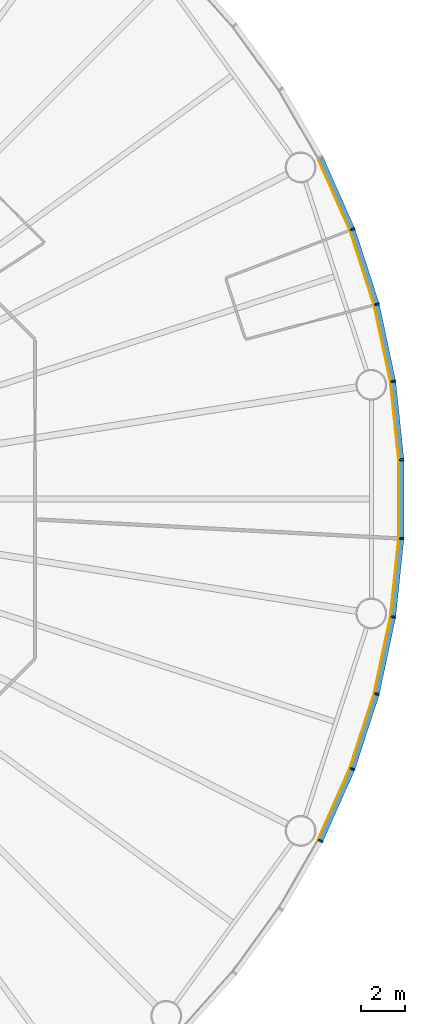
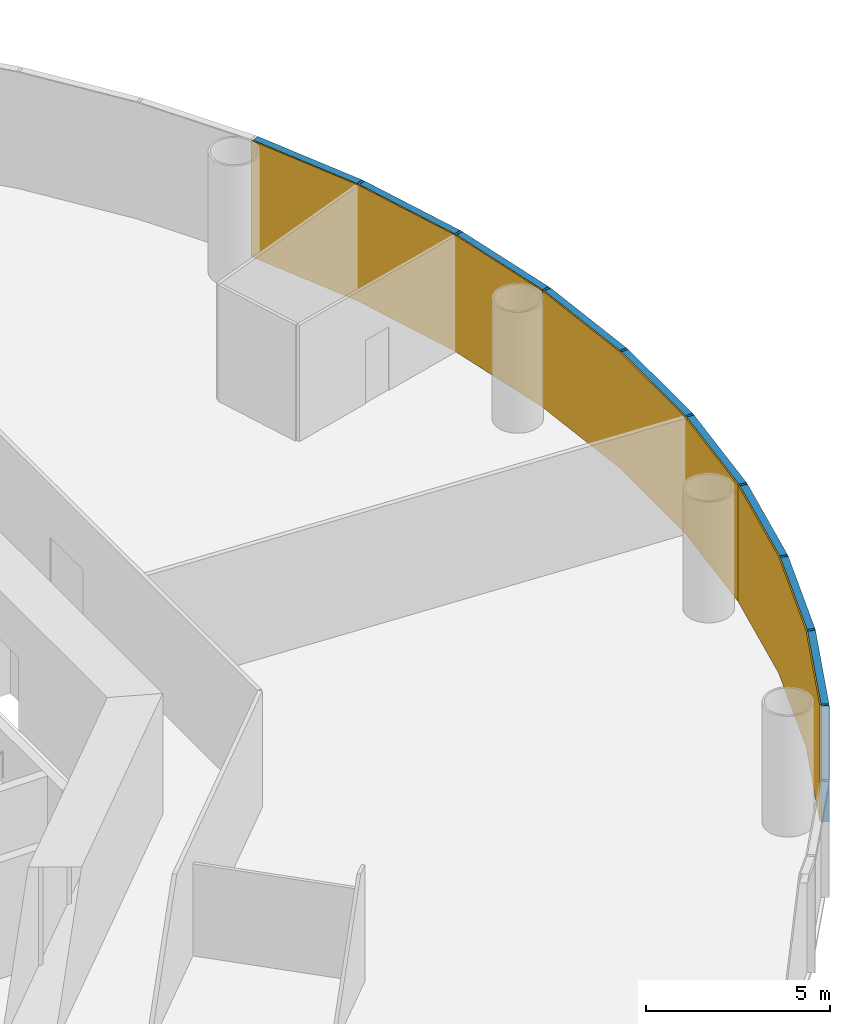
# One storey, part 10 of 12: 18 members, 3 curtain walls.
"""IFC4 building model written with IfcOpenShell, lengths in metres."""

import ifcopenshell
import ifcopenshell.guid

model = None  # the IFC model being written
_history = None  # IfcOwnerHistory: only IFC2X3 demands one
_inside = {}  # id of a spatial element -> (the spatial element, [elements in it])
_under = {}  # id of a project, library or spatial element -> (it, [spatial elements below it])
_declared = {}  # id of a project -> (the project, [libraries it declares])
_typed = {}  # id of a type object -> (the type object, [elements of that type])
_made_of = {}  # id of a material, layer set ... -> (it, [elements and type objects made of it])


def new_model(schema):
    """Start an empty IFC model of exactly this schema.

    Asked for "IFC4X3", IfcOpenShell would pick the latest addendum, in which some entities
    have other attributes; the version numbers below select the first issue.
    IFC2X3 requires an IfcOwnerHistory on every rooted entity: one is made here for all.
    """
    global model, _history
    if schema == "IFC4X3":
        model = ifcopenshell.file(schema_version=(4, 3, 0, 0))
    else:
        model = ifcopenshell.file(schema=schema)
    _inside.clear()
    _under.clear()
    _declared.clear()
    _typed.clear()
    _made_of.clear()
    _history = None
    if model.schema == "IFC2X3":
        org = make("IfcOrganization", Name="unknown")
        user = make(
            "IfcPersonAndOrganization",
            ThePerson=make("IfcPerson", FamilyName="unknown"),
            TheOrganization=org,
        )
        app = make(
            "IfcApplication",
            ApplicationDeveloper=org,
            Version="unknown",
            ApplicationFullName="unknown",
            ApplicationIdentifier="unknown",
        )
        _history = make(
            "IfcOwnerHistory",
            OwningUser=user,
            OwningApplication=app,
            ChangeAction="ADDED",
            CreationDate=0,
        )
    return model


def make(cls, **values):
    """One entity of the class cls with the attributes given. An attribute that is None is left unset."""
    return model.create_entity(
        cls, **{name: value for name, value in values.items() if value is not None}
    )


def rooted(cls, **values):
    """An entity with a GlobalId (a new one), such as an element, a storey or a relation."""
    return make(cls, GlobalId=ifcopenshell.guid.new(), OwnerHistory=_history, **values)


def si_unit(unit_type, name, prefix=None):
    """IfcSIUnit, for example si_unit("LENGTHUNIT", "METRE", prefix="MILLI")."""
    return make("IfcSIUnit", UnitType=unit_type, Prefix=prefix, Name=name)


def assignment(units):
    """IfcUnitAssignment: the units of a project."""
    return None if units is None else make("IfcUnitAssignment", Units=units)


def point(xyz):
    """IfcCartesianPoint."""
    return None if xyz is None else make("IfcCartesianPoint", Coordinates=xyz)


def direction(xyz):
    """IfcDirection."""
    return None if xyz is None else make("IfcDirection", DirectionRatios=xyz)


def frame(location, z_axis=None, x_axis=None):
    """IfcAxis2Placement3D, a coordinate frame: its origin and axes. An axis left out is left unset."""
    return make(
        "IfcAxis2Placement3D",
        Location=point(location),
        Axis=direction(z_axis),
        RefDirection=direction(x_axis),
    )


def frame_2d(location, x_axis=None):
    """IfcAxis2Placement2D, a coordinate frame in the plane: its origin and x axis."""
    return make(
        "IfcAxis2Placement2D", Location=point(location), RefDirection=direction(x_axis)
    )


def origin():
    """The frame at (0, 0, 0) with its axes left unset."""
    return frame((0.0, 0.0, 0.0))


def origin_2d():
    """The frame at (0, 0) in the plane with its x axis left unset."""
    return frame_2d((0.0, 0.0))


def place(relative_to, where):
    """IfcLocalPlacement: puts the frame where relative to a parent placement (None: the world)."""
    return make(
        "IfcLocalPlacement", PlacementRelTo=relative_to, RelativePlacement=where
    )


def context(
    kind, dimensions, precision=None, world=None, true_north=None, identifier=None
):
    """IfcGeometricRepresentationContext, for example the 3D "Model" context."""
    return make(
        "IfcGeometricRepresentationContext",
        ContextIdentifier=identifier,
        ContextType=kind,
        CoordinateSpaceDimension=dimensions,
        Precision=precision,
        WorldCoordinateSystem=world,
        TrueNorth=true_north,
    )


def subcontext(parent, identifier, kind, view, scale=None):
    """IfcGeometricRepresentationSubContext, for example "Body" below "Model"."""
    return make(
        "IfcGeometricRepresentationSubContext",
        ContextIdentifier=identifier,
        ContextType=kind,
        ParentContext=parent,
        TargetScale=scale,
        TargetView=view,
    )


def project(units=None, contexts=None):
    """IfcProject with its units and contexts."""
    return rooted(
        "IfcProject",
        Name="project",
        RepresentationContexts=contexts,
        UnitsInContext=assignment(units),
    )


def spatial(cls, under=None, at=None, **own):
    """A site, building, storey or space (cls), placed at a placement, below another one or the project."""
    s = rooted(cls, ObjectPlacement=at, **own)
    if under is not None:
        _under.setdefault(under.id(), (under, []))[1].append(s)
    return s


def polyline(points):
    """IfcPolyline through the points."""
    return make("IfcPolyline", Points=[point(p) for p in points])


def profile(cls, at=None, kind="AREA", **sizes):
    """A parametric profile (cls). Its sizes go by their IFC names, for example OverallWidth=200.0."""
    return make(cls, ProfileType=kind, Position=at, **sizes)


def rectangle(**sizes):
    """IfcRectangleProfileDef."""
    return profile("IfcRectangleProfileDef", **sizes)


def outline(outer, holes=None, kind="AREA"):
    """IfcArbitraryClosedProfileDef: a profile drawn as a closed curve; with holes, ...WithVoids."""
    if holes is None:
        return make("IfcArbitraryClosedProfileDef", ProfileType=kind, OuterCurve=outer)
    return make(
        "IfcArbitraryProfileDefWithVoids",
        ProfileType=kind,
        OuterCurve=outer,
        InnerCurves=holes,
    )


def extrude(swept, where, along, depth):
    """IfcExtrudedAreaSolid: the profile swept, set in the frame where, extruded along a direction by depth."""
    return make(
        "IfcExtrudedAreaSolid",
        SweptArea=swept,
        Position=where,
        ExtrudedDirection=direction(along),
        Depth=depth,
    )


def shape(context_of_items, identifier, shape_type, items):
    """IfcShapeRepresentation: the items that make up one representation, for example the "Body"."""
    return make(
        "IfcShapeRepresentation",
        ContextOfItems=context_of_items,
        RepresentationIdentifier=identifier,
        RepresentationType=shape_type,
        Items=items,
    )


def material(Name=None, Category=None):
    """IfcMaterial."""
    return make("IfcMaterial", Name=Name, Category=Category)


def layer(
    of_material, thickness, ventilated=None, Name=None, Category=None, Priority=None
):
    """IfcMaterialLayer: one layer of a wall or slab, of a material (None: an air gap)."""
    return make(
        "IfcMaterialLayer",
        Material=of_material,
        LayerThickness=thickness,
        IsVentilated=ventilated,
        Name=Name,
        Category=Category,
        Priority=Priority,
    )


def layer_set(layers, Name=None):
    """IfcMaterialLayerSet."""
    return make("IfcMaterialLayerSet", MaterialLayers=layers, LayerSetName=Name)


def material_profile(
    of_material, cross_section, Name=None, Category=None, Priority=None
):
    """IfcMaterialProfile: a cross section and its material."""
    return make(
        "IfcMaterialProfile",
        Name=Name,
        Material=of_material,
        Profile=cross_section,
        Priority=Priority,
        Category=Category,
    )


def profile_set(profiles, Name=None, composite=None):
    """IfcMaterialProfileSet."""
    return make(
        "IfcMaterialProfileSet",
        Name=Name,
        MaterialProfiles=profiles,
        CompositeProfile=composite,
    )


def made_of(thing, what):
    """Note that an element or type object is made of a material, layer set ...; save() writes the relation."""
    if what is not None:
        _made_of.setdefault(what.id(), (what, []))[1].append(thing)
    return thing


def type_object(cls, material=None, **own):
    """A type object (cls), such as IfcWallType, which elements share."""
    return made_of(rooted(cls, **own), material)


def element(
    cls,
    number,
    at=None,
    inside=None,
    cuts=None,
    type_object=None,
    material=None,
    context=None,
    identifier="Body",
    shape_type=None,
    held_by="IfcProductDefinitionShape",
    body=None,
    shapes=None,
    **own,
):
    """One element of the class cls, such as IfcWall. Its Tag is "e" and its number.

    at: its placement. inside: the storey or other place that contains it. cuts: it is an
    opening in that element (IfcRelVoidsElement). A single representation is given by context,
    identifier, shape_type and body (its items); several are given by shapes. held_by: the class
    of the entity that holds the representations. save() writes the other relations.
    """
    e = rooted(cls, Tag="e%d" % number, ObjectPlacement=at, **own)
    if body is not None:
        shapes = [shape(context, identifier, shape_type, body)]
    if shapes is not None:
        e.Representation = make(held_by, Representations=shapes)
    if inside is not None:
        _inside.setdefault(inside.id(), (inside, []))[1].append(e)
    if cuts is not None:
        rooted(
            "IfcRelVoidsElement", RelatingBuildingElement=cuts, RelatedOpeningElement=e
        )
    if type_object is not None:
        _typed.setdefault(type_object.id(), (type_object, []))[1].append(e)
    return made_of(e, material)


def aggregate(whole, parts):
    """IfcRelAggregates: a whole, such as a stair, and the parts it consists of."""
    return rooted("IfcRelAggregates", RelatingObject=whole, RelatedObjects=parts)


def save(model, path):
    """Write the relations noted so far, then the file.

    IfcRelAggregates (storeys below a building ...), IfcRelContainedInSpatialStructure (elements
    in a storey), IfcRelDefinesByType, IfcRelAssociatesMaterial and IfcRelDeclares: one each for
    every whole, place, type object, material and project.
    """
    for whole, parts in _under.values():
        aggregate(whole, parts)
    for where, things in _inside.values():
        rooted(
            "IfcRelContainedInSpatialStructure",
            RelatedElements=things,
            RelatingStructure=where,
        )
    for kind, things in _typed.values():
        rooted("IfcRelDefinesByType", RelatedObjects=things, RelatingType=kind)
    for what, things in _made_of.values():
        rooted("IfcRelAssociatesMaterial", RelatedObjects=things, RelatingMaterial=what)
    for by, libraries in _declared.values():
        rooted("IfcRelDeclares", RelatingContext=by, RelatedDefinitions=libraries)
    model.write(path)


model = new_model("IFC4")

# Units and contexts
model_context = context("Model", 3, precision=1e-05, world=origin(), true_north=direction((0.0, 1.0)))
body_context = subcontext(model_context, "Body", "Model", "MODEL_VIEW")
ifc_project = project(units=[si_unit("LENGTHUNIT", "METRE"), si_unit("AREAUNIT", "SQUARE_METRE"), si_unit("VOLUMEUNIT", "CUBIC_METRE"), si_unit("PLANEANGLEUNIT", "RADIAN"), si_unit("MASSUNIT", "GRAM", prefix="KILO")], contexts=[model_context])

# Member
ifc_material_1 = material(Name="Anodised aluminium", Category="aluminium")
ifc_material_profile_1 = material_profile(ifc_material_1, rectangle(XDim=0.074951171875, YDim=0.219970703125, at=origin_2d()), Name="Mullion 75 x 220 mm anodised aluminium")
ifc_profile_set_1 = profile_set([ifc_material_profile_1], Name="Anodised aluminium")
member_type_1 = type_object("IfcMemberType", Name="Mullion 75 x 220 mm anodised aluminium", PredefinedType="MULLION", material=ifc_profile_set_1)
site_placement = place(None, origin())
building_placement = place(site_placement, origin())
storey_placement = place(building_placement, frame((0.0, 0.0, 66.0)))
member_1_placement = place(storey_placement, frame((123.68994140625, 85.3359375, 0.0), z_axis=(0.0, 0.0, 1.0), x_axis=(-0.15643446504, 0.987688340595, 0.0)))
member_1 = element("IfcMember", 1, at=member_1_placement, type_object=member_type_1, Name="MULLION L14-00", PredefinedType="MULLION", context=body_context, shape_type="SweptSolid", body=[
    extrude(rectangle(XDim=0.074951171875, YDim=0.219970703125, at=origin_2d()), origin(), (0.0, 0.0, 1.0), 3.85009765625),
])

member_2_placement = place(storey_placement, frame((122.94775390625, 88.828369140625, 0.0), z_axis=(0.0, 0.0, 1.0), x_axis=(-0.258819045103, 0.965925826289, 0.0)))
member_2 = element("IfcMember", 2, at=member_2_placement, type_object=member_type_1, Name="MULLION L14-01", PredefinedType="MULLION", context=body_context, shape_type="SweptSolid", body=[
    extrude(rectangle(XDim=0.074951171875, YDim=0.219970703125, at=origin_2d()), origin(), (0.0, 0.0, 1.0), 3.85009765625),
])

member_3_placement = place(storey_placement, frame((121.844482421875, 92.223876953125, 0.0), z_axis=(0.0, 0.0, 1.0), x_axis=(-0.358367949545, 0.933580426497, 0.0)))
member_3 = element("IfcMember", 3, at=member_3_placement, type_object=member_type_1, Name="MULLION L14-02", PredefinedType="MULLION", context=body_context, shape_type="SweptSolid", body=[
    extrude(rectangle(XDim=0.074951171875, YDim=0.219970703125, at=origin_2d()), origin(), (0.0, 0.0, 1.0), 3.85009765625),
])

member_4_placement = place(storey_placement, frame((120.392333984375, 64.514404296875, 0.0), z_axis=(0.0, 0.0, 1.0), x_axis=(0.45399049974, 0.891006524188, 0.0)))
member_4 = element("IfcMember", 4, at=member_4_placement, type_object=member_type_1, Name="MULLION L14-54", PredefinedType="MULLION", context=body_context, shape_type="SweptSolid", body=[
    extrude(rectangle(XDim=0.074951171875, YDim=0.219970703125, at=origin_2d()), origin(), (0.0, 0.0, 1.0), 3.85009765625),
])

member_5_placement = place(storey_placement, frame((121.844482421875, 67.776123046875, 0.0), z_axis=(0.0, 0.0, 1.0), x_axis=(0.358367949545, 0.933580426497, 0.0)))
member_5 = element("IfcMember", 5, at=member_5_placement, type_object=member_type_1, Name="MULLION L14-55", PredefinedType="MULLION", context=body_context, shape_type="SweptSolid", body=[
    extrude(rectangle(XDim=0.074951171875, YDim=0.219970703125, at=origin_2d()), origin(), (0.0, 0.0, 1.0), 3.85009765625),
])

member_6_placement = place(storey_placement, frame((122.94775390625, 71.171630859375, 0.0), z_axis=(0.0, 0.0, 1.0), x_axis=(0.258819045103, 0.965925826289, 0.0)))
member_6 = element("IfcMember", 6, at=member_6_placement, type_object=member_type_1, Name="MULLION L14-56", PredefinedType="MULLION", context=body_context, shape_type="SweptSolid", body=[
    extrude(rectangle(XDim=0.074951171875, YDim=0.219970703125, at=origin_2d()), origin(), (0.0, 0.0, 1.0), 3.85009765625),
])

member_7_placement = place(storey_placement, frame((123.68994140625, 74.6640625, 0.0), z_axis=(0.0, 0.0, 1.0), x_axis=(0.15643446504, 0.987688340595, 0.0)))
member_7 = element("IfcMember", 7, at=member_7_placement, type_object=member_type_1, Name="MULLION L14-57", PredefinedType="MULLION", context=body_context, shape_type="SweptSolid", body=[
    extrude(rectangle(XDim=0.074951171875, YDim=0.219970703125, at=origin_2d()), origin(), (0.0, 0.0, 1.0), 3.85009765625),
])

member_8_placement = place(storey_placement, frame((124.063232421875, 78.21484375, 0.0), z_axis=(0.0, 0.0, 1.0), x_axis=(0.052335956243, 0.998629534755, 0.0)))
member_8 = element("IfcMember", 8, at=member_8_placement, type_object=member_type_1, Name="MULLION L14-58", PredefinedType="MULLION", context=body_context, shape_type="SweptSolid", body=[
    extrude(rectangle(XDim=0.074951171875, YDim=0.219970703125, at=origin_2d()), origin(), (0.0, 0.0, 1.0), 3.85009765625),
])

member_9_placement = place(storey_placement, frame((124.063232421875, 81.78515625, 0.0), z_axis=(0.0, 0.0, 1.0), x_axis=(-0.052335956243, 0.998629534755, 0.0)))
member_9 = element("IfcMember", 9, at=member_9_placement, type_object=member_type_1, Name="MULLION L14-59", PredefinedType="MULLION", context=body_context, shape_type="SweptSolid", body=[
    extrude(rectangle(XDim=0.074951171875, YDim=0.219970703125, at=origin_2d()), origin(), (0.0, 0.0, 1.0), 3.85009765625),
])

ifc_material_2 = material(Name="Anodised aluminium", Category="aluminium")
ifc_material_profile_2 = material_profile(ifc_material_2, rectangle(XDim=0.219970703125, YDim=0.199951171875, at=origin_2d()), Name="Transom 200 x 220 mm anodised aluminium")
ifc_profile_set_2 = profile_set([ifc_material_profile_2], Name="Anodised aluminium")
member_type_2 = type_object("IfcMemberType", Name="Transom 200 x 220 mm anodised aluminium", PredefinedType="USERDEFINED", material=ifc_profile_set_2)
member_10_placement = place(storey_placement, frame((123.68115234375, 85.37841796875, 3.75), z_axis=(-0.207920776701, 0.978145669426, 0.0), x_axis=(-0.978145669426, -0.207920776701, 0.0)))
member_10 = element("IfcMember", 10, at=member_10_placement, type_object=member_type_2, Name="TRANSOM L14-00", ObjectType="TRANSOM", PredefinedType="USERDEFINED", context=body_context, shape_type="SweptSolid", body=[
    extrude(rectangle(XDim=0.219970703125, YDim=0.199951171875, at=origin_2d()), origin(), (0.0, 0.0, 1.0), 3.48388671875),
])

member_11_placement = place(storey_placement, frame((122.9345703125, 88.869384765625, 3.75), z_axis=(-0.309029029702, 0.951052605696, 0.0), x_axis=(-0.951052605696, -0.309029029702, 0.0)))
member_11 = element("IfcMember", 11, at=member_11_placement, type_object=member_type_2, Name="TRANSOM L14-01", ObjectType="TRANSOM", PredefinedType="USERDEFINED", context=body_context, shape_type="SweptSolid", body=[
    extrude(rectangle(XDim=0.219970703125, YDim=0.199951171875, at=origin_2d()), origin(), (0.0, 0.0, 1.0), 3.484130859375),
])

member_12_placement = place(storey_placement, frame((121.826904296875, 92.263427734375, 3.75), z_axis=(-0.406736576304, 0.913545487371, 0.0), x_axis=(-0.913545487371, -0.406736576304, 0.0)))
member_12 = element("IfcMember", 12, at=member_12_placement, type_object=member_type_2, Name="TRANSOM L14-02", ObjectType="TRANSOM", PredefinedType="USERDEFINED", context=body_context, shape_type="SweptSolid", body=[
    extrude(rectangle(XDim=0.219970703125, YDim=0.199951171875, at=origin_2d()), origin(), (0.0, 0.0, 1.0), 3.48388671875),
])

member_13_placement = place(storey_placement, frame((120.409912109375, 64.553955078125, 3.75), z_axis=(0.406736576304, 0.913545487371, 0.0), x_axis=(-0.913545487371, 0.406736576304, 0.0)))
member_13 = element("IfcMember", 13, at=member_13_placement, type_object=member_type_2, Name="TRANSOM L14-54", ObjectType="TRANSOM", PredefinedType="USERDEFINED", context=body_context, shape_type="SweptSolid", body=[
    extrude(rectangle(XDim=0.219970703125, YDim=0.199951171875, at=origin_2d()), origin(), (0.0, 0.0, 1.0), 3.48388671875),
])

member_14_placement = place(storey_placement, frame((121.85791015625, 67.817138671875, 3.75), z_axis=(0.309029029702, 0.951052605696, 0.0), x_axis=(-0.951052605696, 0.309029029702, 0.0)))
member_14 = element("IfcMember", 14, at=member_14_placement, type_object=member_type_2, Name="TRANSOM L14-55", ObjectType="TRANSOM", PredefinedType="USERDEFINED", context=body_context, shape_type="SweptSolid", body=[
    extrude(rectangle(XDim=0.219970703125, YDim=0.199951171875, at=origin_2d()), origin(), (0.0, 0.0, 1.0), 3.484130859375),
])

member_15_placement = place(storey_placement, frame((122.956787109375, 71.2138671875, 3.75), z_axis=(0.207920776701, 0.978145669426, 0.0), x_axis=(-0.978145669426, 0.207920776701, 0.0)))
member_15 = element("IfcMember", 15, at=member_15_placement, type_object=member_type_2, Name="TRANSOM L14-56", ObjectType="TRANSOM", PredefinedType="USERDEFINED", context=body_context, shape_type="SweptSolid", body=[
    extrude(rectangle(XDim=0.219970703125, YDim=0.199951171875, at=origin_2d()), origin(), (0.0, 0.0, 1.0), 3.48388671875),
])

member_16_placement = place(storey_placement, frame((123.69482421875, 74.70703125, 3.75), z_axis=(0.104484152234, 0.994526551648, 0.0), x_axis=(-0.994526551648, 0.104484152234, 0.0)))
member_16 = element("IfcMember", 16, at=member_16_placement, type_object=member_type_2, Name="TRANSOM L14-57", ObjectType="TRANSOM", PredefinedType="USERDEFINED", context=body_context, shape_type="SweptSolid", body=[
    extrude(rectangle(XDim=0.219970703125, YDim=0.199951171875, at=origin_2d()), origin(), (0.0, 0.0, 1.0), 3.48388671875),
])

member_17_placement = place(storey_placement, frame((124.0634765625, 78.258056640625, 3.75), z_axis=(0.0, 1.0, 0.0), x_axis=(-1.0, 0.0, 0.0)))
member_17 = element("IfcMember", 17, at=member_17_placement, type_object=member_type_2, Name="TRANSOM L14-58", ObjectType="TRANSOM", PredefinedType="USERDEFINED", context=body_context, shape_type="SweptSolid", body=[
    extrude(rectangle(XDim=0.219970703125, YDim=0.199951171875, at=origin_2d()), origin(), (0.0, 0.0, 1.0), 3.48388671875),
])

member_18_placement = place(storey_placement, frame((124.058837890625, 81.828125, 3.75), z_axis=(-0.104484152234, 0.994526551648, 0.0), x_axis=(-0.994526551648, -0.104484152234, 0.0)))
member_18 = element("IfcMember", 18, at=member_18_placement, type_object=member_type_2, Name="TRANSOM L14-59", ObjectType="TRANSOM", PredefinedType="USERDEFINED", context=body_context, shape_type="SweptSolid", body=[
    extrude(rectangle(XDim=0.219970703125, YDim=0.199951171875, at=origin_2d()), origin(), (0.0, 0.0, 1.0), 3.48388671875),
])

# Site, building, storey
site = spatial("IfcSite", under=ifc_project, at=site_placement, CompositionType="ELEMENT")
building = spatial("IfcBuilding", under=site, at=building_placement, Name="Entoto Ring Tower", CompositionType="ELEMENT")
storey = spatial("IfcBuildingStorey", under=building, at=storey_placement, Name="L14", CompositionType="ELEMENT", Elevation=66.0)

# Curtain wall
ifc_material_3 = material(Name="Clear low-iron glass", Category="glass")
ifc_layer = layer(ifc_material_3, 0.0400390625)
ifc_layer_set = layer_set([ifc_layer], Name="Clear low-iron glass")
curtain_wall_type = type_object("IfcCurtainWallType", Name="Curtain wall system CW1 glazing 40 mm", PredefinedType="NOTDEFINED", material=ifc_layer_set)
curtain_wall_1_placement = place(storey_placement, origin())
curtain_wall_1 = element("IfcCurtainWall", 19, at=curtain_wall_1_placement, inside=storey, type_object=curtain_wall_type, Name="CW1 L14-01", PredefinedType="NOTDEFINED", context=body_context, shape_type="SweptSolid", body=[
    extrude(outline(polyline([(123.581298828125, 85.31884765625), (122.841552734375, 88.7998046875), (121.74169921875, 92.1845703125), (120.294189453125, 95.435791015625), (120.258544921875, 95.41748046875), (121.704345703125, 92.170166015625), (122.802734375, 88.78955078125), (123.541748046875, 85.3125), (123.581298828125, 85.31884765625)])), origin(), (0.0, 0.0, 1.0), 3.85009765625),
])

aggregate(curtain_wall_1, [member_1, member_2, member_3, member_10, member_11, member_12])

curtain_wall_2_placement = place(storey_placement, origin())
curtain_wall_2 = element("IfcCurtainWall", 20, at=curtain_wall_2_placement, inside=storey, type_object=curtain_wall_type, Name="CW1 L14-19", PredefinedType="NOTDEFINED", context=body_context, shape_type="SweptSolid", body=[
    extrude(outline(polyline([(120.294189453125, 64.564208984375), (121.74169921875, 67.8154296875), (122.841552734375, 71.2001953125), (123.581298828125, 74.68115234375), (123.541748046875, 74.6875), (122.802734375, 71.21044921875), (121.704345703125, 67.829833984375), (120.258544921875, 64.58251953125), (120.294189453125, 64.564208984375)])), origin(), (0.0, 0.0, 1.0), 3.85009765625),
])

aggregate(curtain_wall_2, [member_4, member_5, member_6, member_13, member_14, member_15])

curtain_wall_3_placement = place(storey_placement, origin())
curtain_wall_3 = element("IfcCurtainWall", 21, at=curtain_wall_3_placement, inside=storey, type_object=curtain_wall_type, Name="CW1 L14-20", PredefinedType="NOTDEFINED", context=body_context, shape_type="SweptSolid", body=[
    extrude(outline(polyline([(123.581298828125, 74.68115234375), (123.953369140625, 78.220458984375), (123.953369140625, 81.779541015625), (123.581298828125, 85.31884765625), (123.541748046875, 85.3125), (123.913330078125, 81.77734375), (123.913330078125, 78.22265625), (123.541748046875, 74.6875), (123.581298828125, 74.68115234375)])), origin(), (0.0, 0.0, 1.0), 3.85009765625),
])

aggregate(curtain_wall_3, [member_7, member_8, member_9, member_16, member_17, member_18])

save(model, "model.ifc")
